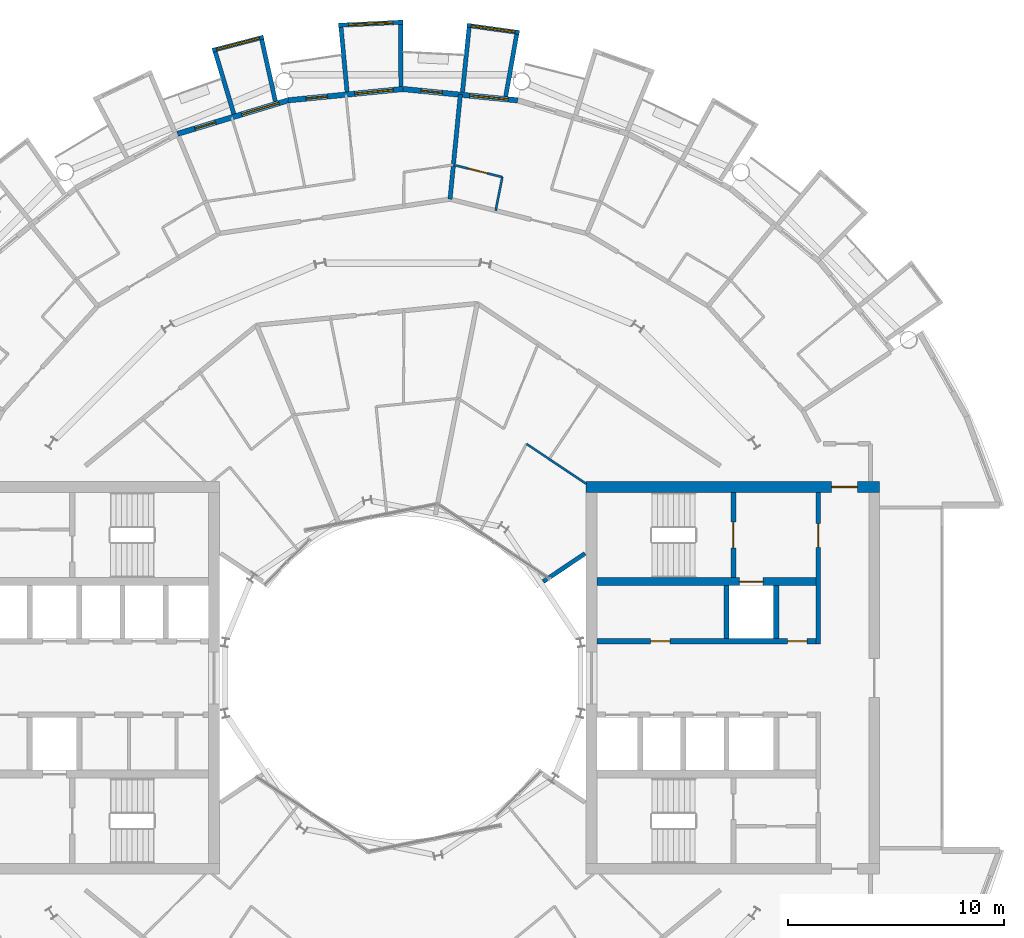
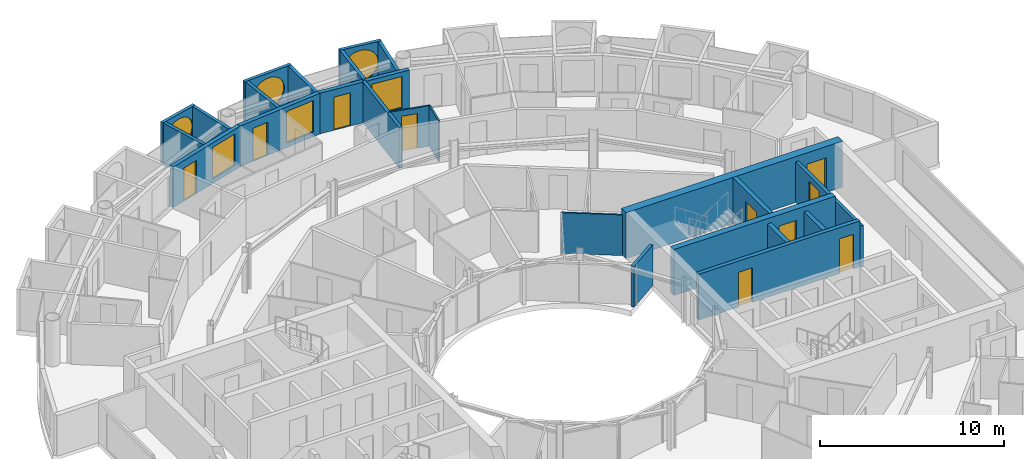
# One storey, part 21 of 27: 24 walls, 10 doors, 6 windows, 16 openings.
"""IFC4 building model written with IfcOpenShell, lengths in metres."""

from ifc_helpers import new_model, si_unit, direction, frame, frame_2d, origin, place, context, subcontext, project, spatial, rectangle, circle, extrude, material, layer, layer_set, type_object, element, fill, save


model = new_model("IFC4")

# Units and contexts
model_context = context("Model", 3, precision=1e-05, world=origin(), true_north=direction((0.0, 1.0)))
body_context = subcontext(model_context, "Body", "Model", "MODEL_VIEW")
ifc_project = project(units=[si_unit("LENGTHUNIT", "METRE"), si_unit("AREAUNIT", "SQUARE_METRE"), si_unit("VOLUMEUNIT", "CUBIC_METRE"), si_unit("PLANEANGLEUNIT", "RADIAN"), si_unit("MASSUNIT", "GRAM", prefix="KILO")], contexts=[model_context])

# Site, building, storey
site_placement = place(None, origin())
site = spatial("IfcSite", under=ifc_project, at=site_placement, CompositionType="ELEMENT")
building_placement = place(site_placement, origin())
building = spatial("IfcBuilding", under=site, at=building_placement, Name="Maasbend Ring Residences", CompositionType="ELEMENT")
storey_placement = place(building_placement, frame((0.0, 0.0, 148.25)))
storey = spatial("IfcBuildingStorey", under=building, at=storey_placement, Name="L42", CompositionType="ELEMENT", Elevation=148.25)

# Wall, openings, doors
ifc_material_1 = material(Name="Concrete C60/75", Category="concrete")
ifc_layer_1 = layer(ifc_material_1, 0.25)
ifc_layer_set_1 = layer_set([ifc_layer_1], Name="Concrete C60/75")
wall_type_1 = type_object("IfcWallType", Name="CORE WALL 250 C60/75", PredefinedType="SHEAR", material=ifc_layer_set_1)
wall_1_placement = place(storey_placement, frame((9.0, 1.699951171875, 0.0), z_axis=(0.0, 0.0, 1.0), x_axis=(1.0, 0.0, 0.0)))
wall_1 = element("IfcWall", 1, at=wall_1_placement, inside=storey, type_object=wall_type_1, Name="L42 core E wall SPN", PredefinedType="SHEAR", context=body_context, shape_type="SweptSolid", body=[
    extrude(rectangle(XDim=10.14990234375, YDim=0.25, at=frame_2d((5.074951171875, 0.0))), origin(), (0.0, 0.0, 1.0), 3.050048828125),
])
opening_1_placement = place(wall_1_placement, frame((2.487548828125, 0.0, 0.0)))
opening_1 = element("IfcOpeningElement", 2, at=opening_1_placement, cuts=wall_1, Name="Opening D-E4206", PredefinedType="OPENING", context=body_context, shape_type="SweptSolid", body=[
    extrude(rectangle(XDim=0.89990234375, YDim=2.300048828125, at=frame_2d((0.449951171875, 1.14990234375))), frame((0.0, 0.135009765625, 0.0), z_axis=(0.0, -1.0, 0.0), x_axis=(1.0, 0.0, 0.0)), (0.0, 0.0, 1.0), 0.27001953125),
])
opening_2_placement = place(wall_1_placement, frame((8.83740234375, 0.0, 0.0)))
opening_2 = element("IfcOpeningElement", 3, at=opening_2_placement, cuts=wall_1, Name="Opening D-E4207", PredefinedType="OPENING", context=body_context, shape_type="SweptSolid", body=[
    extrude(rectangle(XDim=0.89990234375, YDim=2.300048828125, at=frame_2d((0.449951171875, 1.14990234375))), frame((0.0, 0.135009765625, 0.0), z_axis=(0.0, -1.0, 0.0), x_axis=(1.0, 0.0, 0.0)), (0.0, 0.0, 1.0), 0.27001953125),
])
ifc_material_2 = material(Name="Steel, powder coated", Category="steel")
door_type_1 = type_object("IfcDoorType", Name="ROOM DOOR 900 X 2300 FD30S", OperationType="NOTDEFINED", PredefinedType="DOOR", material=ifc_material_2)
door_1_placement = place(opening_1_placement, origin())
door_1 = element("IfcDoor", 4, at=door_1_placement, inside=storey, type_object=door_type_1, Name="Room door L42", OperationType="SINGLE_SWING_RIGHT", OverallHeight=2.300048828125, OverallWidth=0.89990234375, PredefinedType="DOOR", context=body_context, shape_type="SweptSolid", body=[
    extrude(rectangle(XDim=0.89990234375, YDim=2.300048828125, at=frame_2d((0.449951171875, 1.14990234375))), frame((0.0, 0.02490234375, 0.0), z_axis=(0.0, -1.0, 0.0), x_axis=(1.0, 0.0, 0.0)), (0.0, 0.0, 1.0), 0.050048828125),
])
fill(opening_1, door_1)
door_2_placement = place(opening_2_placement, origin())
door_2 = element("IfcDoor", 5, at=door_2_placement, inside=storey, type_object=door_type_1, Name="Room door L42", OperationType="SINGLE_SWING_LEFT", OverallHeight=2.300048828125, OverallWidth=0.89990234375, PredefinedType="DOOR", context=body_context, shape_type="SweptSolid", body=[
    extrude(rectangle(XDim=0.89990234375, YDim=2.300048828125, at=frame_2d((0.449951171875, 1.14990234375))), frame((0.0, 0.02490234375, 0.0), z_axis=(0.0, -1.0, 0.0), x_axis=(1.0, 0.0, 0.0)), (0.0, 0.0, 1.0), 0.050048828125),
])
fill(opening_2, door_2)

# Wall, opening, door
wall_2_placement = place(storey_placement, frame((15.324951171875, 4.64990234375, 0.0), z_axis=(0.0, 0.0, 1.0), x_axis=(0.0, 1.0, 0.0)))
wall_2 = element("IfcWall", 6, at=wall_2_placement, inside=storey, type_object=wall_type_1, Name="L42 core E wall STEN", PredefinedType="SHEAR", context=body_context, shape_type="SweptSolid", body=[
    extrude(rectangle(XDim=3.9501953125, YDim=0.25, at=frame_2d((1.97509765625, 0.0))), origin(), (0.0, 0.0, 1.0), 3.050048828125),
])
opening_3_placement = place(wall_2_placement, frame((1.375, 0.0, 0.0)))
opening_3 = element("IfcOpeningElement", 7, at=opening_3_placement, cuts=wall_2, Name="Opening D-E4210", PredefinedType="OPENING", context=body_context, shape_type="SweptSolid", body=[
    extrude(rectangle(XDim=1.199951171875, YDim=2.300048828125, at=frame_2d((0.60009765625, 1.14990234375))), frame((0.0, 0.135009765625, 0.0), z_axis=(0.0, -1.0, 0.0), x_axis=(1.0, 0.0, 0.0)), (0.0, 0.0, 1.0), 0.27001953125),
])
ifc_material_3 = material(Name="Steel, powder coated", Category="steel")
door_type_2 = type_object("IfcDoorType", Name="STAIR DOOR 1200 X 2300 FD60", OperationType="NOTDEFINED", PredefinedType="DOOR", material=ifc_material_3)
door_3_placement = place(opening_3_placement, origin())
door_3 = element("IfcDoor", 8, at=door_3_placement, inside=storey, type_object=door_type_2, Name="Stair door ST-E L42", OperationType="SINGLE_SWING_LEFT", OverallHeight=2.300048828125, OverallWidth=1.199951171875, PredefinedType="DOOR", context=body_context, shape_type="SweptSolid", body=[
    extrude(rectangle(XDim=1.199951171875, YDim=2.300048828125, at=frame_2d((0.60009765625, 1.14990234375))), frame((0.0, 0.02490234375, 0.0), z_axis=(0.0, -1.0, 0.0), x_axis=(1.0, 0.0, 0.0)), (0.0, 0.0, 1.0), 0.050048828125),
])
fill(opening_3, door_3)

ifc_material_4 = material(Name="Concrete C60/75", Category="concrete")
ifc_layer_2 = layer(ifc_material_4, 0.375)
ifc_layer_set_2 = layer_set([ifc_layer_2], Name="Concrete C60/75")
wall_type_2 = type_object("IfcWallType", Name="CORE WALL 375 C60/75", PredefinedType="SHEAR", material=ifc_layer_set_2)
wall_3_placement = place(storey_placement, frame((9.0, 4.46240234375, 0.0), z_axis=(0.0, 0.0, 1.0), x_axis=(1.0, 0.0, 0.0)))
wall_3 = element("IfcWall", 9, at=wall_3_placement, inside=storey, type_object=wall_type_2, Name="L42 core E wall BN", PredefinedType="SHEAR", context=body_context, shape_type="SweptSolid", body=[
    extrude(rectangle(XDim=10.14990234375, YDim=0.375, at=frame_2d((5.074951171875, 0.0))), origin(), (0.0, 0.0, 1.0), 3.050048828125),
])
opening_4_placement = place(wall_3_placement, frame((6.60009765625, 0.0, 0.0)))
opening_4 = element("IfcOpeningElement", 10, at=opening_4_placement, cuts=wall_3, Name="Opening LD-E4201", PredefinedType="OPENING", context=body_context, shape_type="SweptSolid", body=[
    extrude(rectangle(XDim=1.10009765625, YDim=2.300048828125, at=frame_2d((0.550048828125, 1.14990234375))), frame((0.0, 0.197509765625, 0.0), z_axis=(0.0, -1.0, 0.0), x_axis=(1.0, 0.0, 0.0)), (0.0, 0.0, 1.0), 0.39501953125),
])
ifc_material_5 = material(Name="Stainless steel 316", Category="steel")
door_type_3 = type_object("IfcDoorType", Name="LANDING DOOR 1100 X 2300 FD60", OperationType="DOUBLE_DOOR_SLIDING", PredefinedType="DOOR", material=ifc_material_5)
door_4_placement = place(opening_4_placement, origin())
door_4 = element("IfcDoor", 11, at=door_4_placement, inside=storey, type_object=door_type_3, Name="Landing door FF-E L42", OperationType="DOUBLE_DOOR_SLIDING", OverallHeight=2.300048828125, OverallWidth=1.10009765625, PredefinedType="DOOR", context=body_context, shape_type="SweptSolid", body=[
    extrude(rectangle(XDim=1.10009765625, YDim=2.300048828125, at=frame_2d((0.550048828125, 1.14990234375))), frame((0.0, 0.02490234375, 0.0), z_axis=(0.0, -1.0, 0.0), x_axis=(1.0, 0.0, 0.0)), (0.0, 0.0, 1.0), 0.050048828125),
])
fill(opening_4, door_4)

ifc_material_6 = material(Name="Concrete C60/75", Category="concrete")
ifc_layer_3 = layer(ifc_material_6, 0.5)
ifc_layer_set_3 = layer_set([ifc_layer_3], Name="Concrete C60/75")
wall_type_3 = type_object("IfcWallType", Name="CORE WALL 500 C60/75", PredefinedType="SHEAR", material=ifc_layer_set_3)
wall_4_placement = place(storey_placement, frame((22.10009765625, 8.85009765625, 0.0), z_axis=(0.0, 0.0, 1.0), x_axis=(-1.0, 0.0, 0.0)))
wall_4 = element("IfcWall", 12, at=wall_4_placement, inside=storey, type_object=wall_type_3, Name="L42 core E wall PN", PredefinedType="SHEAR", context=body_context, shape_type="SweptSolid", body=[
    extrude(rectangle(XDim=13.60009765625, YDim=0.5, at=frame_2d((6.800048828125, 0.0))), origin(), (0.0, 0.0, 1.0), 3.050048828125),
])
opening_5_placement = place(wall_4_placement, frame((1.02490234375, 0.0, 0.0)))
opening_5 = element("IfcOpeningElement", 13, at=opening_5_placement, cuts=wall_4, Name="Opening D-E4214", PredefinedType="OPENING", context=body_context, shape_type="SweptSolid", body=[
    extrude(rectangle(XDim=1.199951171875, YDim=2.300048828125, at=frame_2d((0.60009765625, 1.14990234375))), frame((0.0, 0.260009765625, 0.0), z_axis=(0.0, -1.0, 0.0), x_axis=(1.0, 0.0, 0.0)), (0.0, 0.0, 1.0), 0.52001953125),
])
ifc_material_7 = material(Name="Steel, powder coated", Category="steel")
door_type_4 = type_object("IfcDoorType", Name="CORRIDOR DOOR 1200 X 2300 FD30S", OperationType="NOTDEFINED", PredefinedType="DOOR", material=ifc_material_7)
door_5_placement = place(opening_5_placement, origin())
door_5 = element("IfcDoor", 14, at=door_5_placement, inside=storey, type_object=door_type_4, Name="Corridor door L42", OperationType="SINGLE_SWING_RIGHT", OverallHeight=2.300048828125, OverallWidth=1.199951171875, PredefinedType="DOOR", context=body_context, shape_type="SweptSolid", body=[
    extrude(rectangle(XDim=1.199951171875, YDim=2.300048828125, at=frame_2d((0.60009765625, 1.14990234375))), frame((0.0, 0.02490234375, 0.0), z_axis=(0.0, -1.0, 0.0), x_axis=(1.0, 0.0, 0.0)), (0.0, 0.0, 1.0), 0.050048828125),
])
fill(opening_5, door_5)

# Wall, opening, window
ifc_material_8 = material(Name="Pale anodised aluminium panel", Category="aluminium")
ifc_layer_4 = layer(ifc_material_8, 0.199951171875)
ifc_layer_set_4 = layer_set([ifc_layer_4], Name="EW-BOX")
wall_type_4 = type_object("IfcWallType", Name="EW-BOX", PredefinedType="SOLIDWALL", material=ifc_layer_set_4)
wall_5_placement = place(storey_placement, frame((5.39794921875, 29.9169921875, -0.030029296875), z_axis=(0.0, 0.0, 1.0), x_axis=(-0.990462016113, 0.137786046596, 0.0)))
wall_5 = element("IfcWall", 15, at=wall_5_placement, inside=storey, type_object=wall_type_4, Name="Box front N09", PredefinedType="SOLIDWALL", context=body_context, shape_type="SweptSolid", body=[
    extrude(rectangle(XDim=2.4453125, YDim=0.199951171875, at=frame_2d((1.22265625, 0.0))), origin(), (0.0, 0.0, 1.0), 2.72998046875),
])
opening_6_placement = place(wall_5_placement, frame((0.182861328125, 0.0, 0.330078125)))
opening_6 = element("IfcOpeningElement", 16, at=opening_6_placement, cuts=wall_5, Name="Opening W-RD", PredefinedType="OPENING", context=body_context, shape_type="SweptSolid", body=[
    extrude(circle(Radius=1.0400390625, at=frame_2d((1.0400390625, 1.0400390625))), frame((0.0, 0.10986328125, 0.0), z_axis=(0.0, -1.0, 0.0), x_axis=(1.0, 0.0, 0.0)), (0.0, 0.0, 1.0), 0.219970703125),
])
ifc_material_9 = material(Name="Aluminium and clear glass", Category="aluminium")
window_type_1 = type_object("IfcWindowType", Name="W-RD", PartitioningType="SINGLE_PANEL", PredefinedType="WINDOW", material=ifc_material_9)
window_1_placement = place(opening_6_placement, origin())
window_1 = element("IfcWindow", 17, at=window_1_placement, inside=storey, type_object=window_type_1, Name="Round window N09", OverallHeight=2.080078125, OverallWidth=2.080078125, PartitioningType="SINGLE_PANEL", PredefinedType="WINDOW", context=body_context, shape_type="SweptSolid", body=[
    extrude(circle(Radius=1.0400390625, at=frame_2d((1.0400390625, 1.0400390625))), frame((0.0, 0.030029296875, 0.0), z_axis=(0.0, -1.0, 0.0), x_axis=(1.0, 0.0, 0.0)), (0.0, 0.0, 1.0), 0.06005859375),
])
fill(opening_6, window_1)

# Walls
wall_6_placement = place(storey_placement, frame((4.76904296875, 26.9560546875, -0.030029296875), z_axis=(0.0, 0.0, 1.0), x_axis=(0.174056778901, 0.984735618183, 0.0)))
element("IfcWall", 18, at=wall_6_placement, inside=storey, type_object=wall_type_4, Name="Box side wall N09 left", PredefinedType="SOLIDWALL", context=body_context, shape_type="SweptSolid", body=[
    extrude(rectangle(XDim=2.924560546875, YDim=0.199951171875, at=frame_2d((1.46240234375, 0.0))), origin(), (0.0, 0.0, 1.0), 2.72998046875),
])
wall_7_placement = place(storey_placement, frame((2.763916015625, 27.153076171875, -0.030029296875), z_axis=(0.0, 0.0, 1.0), x_axis=(0.101505487237, 0.994834979311, 0.0)))
element("IfcWall", 19, at=wall_7_placement, inside=storey, type_object=wall_type_4, Name="Box side wall N09 right", PredefinedType="SOLIDWALL", context=body_context, shape_type="SweptSolid", body=[
    extrude(rectangle(XDim=3.006591796875, YDim=0.199951171875, at=frame_2d((1.50341796875, 0.0))), origin(), (0.0, 0.0, 1.0), 2.72998046875),
])

# Wall, opening, window
wall_8_placement = place(storey_placement, frame((0.0048828125, 30.39990234375, -0.030029296875), z_axis=(0.0, 0.0, 1.0), x_axis=(-0.998794083011, -0.049095618353, 0.0)))
wall_8 = element("IfcWall", 20, at=wall_8_placement, inside=storey, type_object=wall_type_4, Name="Box front N11", PredefinedType="SOLIDWALL", context=body_context, shape_type="SweptSolid", body=[
    extrude(rectangle(XDim=2.99365234375, YDim=0.199951171875, at=frame_2d((1.496826171875, 0.0))), origin(), (0.0, 0.0, 1.0), 2.72998046875),
])
opening_7_placement = place(wall_8_placement, frame((0.45654296875, 0.0, 0.330078125)))
opening_7 = element("IfcOpeningElement", 21, at=opening_7_placement, cuts=wall_8, Name="Opening W-RD", PredefinedType="OPENING", context=body_context, shape_type="SweptSolid", body=[
    extrude(circle(Radius=1.0400390625, at=frame_2d((1.0400390625, 1.0400390625))), frame((0.0, 0.10986328125, 0.0), z_axis=(0.0, -1.0, 0.0), x_axis=(1.0, 0.0, 0.0)), (0.0, 0.0, 1.0), 0.219970703125),
])
window_2_placement = place(opening_7_placement, origin())
window_2 = element("IfcWindow", 22, at=window_2_placement, inside=storey, type_object=window_type_1, Name="Round window N11", OverallHeight=2.080078125, OverallWidth=2.080078125, PartitioningType="SINGLE_PANEL", PredefinedType="WINDOW", context=body_context, shape_type="SweptSolid", body=[
    extrude(circle(Radius=1.0400390625, at=frame_2d((1.0400390625, 1.0400390625))), frame((0.0, 0.030029296875, 0.0), z_axis=(0.0, -1.0, 0.0), x_axis=(1.0, 0.0, 0.0)), (0.0, 0.0, 1.0), 0.06005859375),
])
fill(opening_7, window_2)

# Walls
wall_9_placement = place(storey_placement, frame((-0.090087890625, 27.4169921875, -0.030029296875), z_axis=(0.0, 0.0, 1.0), x_axis=(-0.00347308367, 0.999993968827, 0.0)))
element("IfcWall", 23, at=wall_9_placement, inside=storey, type_object=wall_type_4, Name="Box side wall N11 left", PredefinedType="SOLIDWALL", context=body_context, shape_type="SweptSolid", body=[
    extrude(rectangle(XDim=2.882080078125, YDim=0.199951171875, at=frame_2d((1.44091796875, 0.0))), origin(), (0.0, 0.0, 1.0), 2.72998046875),
])
wall_10_placement = place(storey_placement, frame((-2.5859375, 27.1708984375, -0.030029296875), z_axis=(0.0, 0.0, 1.0), x_axis=(-0.094548432284, 0.995520262954, 0.0)))
element("IfcWall", 24, at=wall_10_placement, inside=storey, type_object=wall_type_4, Name="Box side wall N11 right", PredefinedType="SOLIDWALL", context=body_context, shape_type="SweptSolid", body=[
    extrude(rectangle(XDim=3.005615234375, YDim=0.199951171875, at=frame_2d((1.5029296875, 0.0))), origin(), (0.0, 0.0, 1.0), 2.72998046875),
])

# Wall, opening, window
wall_11_placement = place(storey_placement, frame((-6.4609375, 29.705078125, -0.030029296875), z_axis=(0.0, 0.0, 1.0), x_axis=(-0.96789536872, -0.251353446784, 0.0)))
wall_11 = element("IfcWall", 25, at=wall_11_placement, inside=storey, type_object=wall_type_4, Name="Box front N13", PredefinedType="SOLIDWALL", context=body_context, shape_type="SweptSolid", body=[
    extrude(rectangle(XDim=2.44677734375, YDim=0.199951171875, at=frame_2d((1.223388671875, 0.0))), origin(), (0.0, 0.0, 1.0), 2.72998046875),
])
opening_8_placement = place(wall_11_placement, frame((0.182861328125, 0.0, 0.330078125)))
opening_8 = element("IfcOpeningElement", 26, at=opening_8_placement, cuts=wall_11, Name="Opening W-RD", PredefinedType="OPENING", context=body_context, shape_type="SweptSolid", body=[
    extrude(circle(Radius=1.0400390625, at=frame_2d((1.0400390625, 1.0400390625))), frame((0.0, 0.10986328125, 0.0), z_axis=(0.0, -1.0, 0.0), x_axis=(1.0, 0.0, 0.0)), (0.0, 0.0, 1.0), 0.219970703125),
])
window_3_placement = place(opening_8_placement, origin())
window_3 = element("IfcWindow", 27, at=window_3_placement, inside=storey, type_object=window_type_1, Name="Round window N13", OverallHeight=2.080078125, OverallWidth=2.080078125, PartitioningType="SINGLE_PANEL", PredefinedType="WINDOW", context=body_context, shape_type="SweptSolid", body=[
    extrude(circle(Radius=1.0400390625, at=frame_2d((1.0400390625, 1.0400390625))), frame((0.0, 0.030029296875, 0.0), z_axis=(0.0, -1.0, 0.0), x_axis=(1.0, 0.0, 0.0)), (0.0, 0.0, 1.0), 0.06005859375),
])
fill(opening_8, window_3)

# Walls
wall_12_placement = place(storey_placement, frame((-5.908935546875, 26.72900390625, -0.030029296875), z_axis=(0.0, 0.0, 1.0), x_axis=(-0.216409053917, 0.976302781612, 0.0)))
element("IfcWall", 28, at=wall_12_placement, inside=storey, type_object=wall_type_4, Name="Box side wall N13 left", PredefinedType="SOLIDWALL", context=body_context, shape_type="SweptSolid", body=[
    extrude(rectangle(XDim=2.92529296875, YDim=0.199951171875, at=frame_2d((1.462646484375, 0.0))), origin(), (0.0, 0.0, 1.0), 2.72998046875),
])
wall_13_placement = place(storey_placement, frame((-7.8369140625, 26.14404296875, -0.030029296875), z_axis=(0.0, 0.0, 1.0), x_axis=(-0.287064767992, 0.957911174889, 0.0)))
element("IfcWall", 29, at=wall_13_placement, inside=storey, type_object=wall_type_4, Name="Box side wall N13 right", PredefinedType="SOLIDWALL", context=body_context, shape_type="SweptSolid", body=[
    extrude(rectangle(XDim=3.00634765625, YDim=0.199951171875, at=frame_2d((1.503173828125, 0.0))), origin(), (0.0, 0.0, 1.0), 2.72998046875),
])

# Wall, openings, door, window
ifc_material_10 = material(Name="Aluminium clad insulated panel", Category="aluminium")
ifc_layer_5 = layer(ifc_material_10, 0.25)
ifc_layer_set_5 = layer_set([ifc_layer_5], Name="EW-GL")
wall_type_5 = type_object("IfcWallType", Name="EW-GL", PredefinedType="SOLIDWALL", material=ifc_layer_set_5)
wall_14_placement = place(storey_placement, frame((5.325927734375, 26.77490234375, 0.0), z_axis=(0.0, 0.0, 1.0), x_axis=(-0.995173996315, 0.098126026407, 0.0)))
wall_14 = element("IfcWall", 30, at=wall_14_placement, inside=storey, type_object=wall_type_5, Name="External wall N05", PredefinedType="SOLIDWALL", context=body_context, shape_type="SweptSolid", body=[
    extrude(rectangle(XDim=5.351806640625, YDim=0.25, at=frame_2d((2.67578125, 0.0))), origin(), (0.0, 0.0, 1.0), 2.699951171875),
])
opening_9_placement = place(wall_14_placement, frame((0.441162109375, 0.0, 0.300048828125)))
opening_9 = element("IfcOpeningElement", 31, at=opening_9_placement, cuts=wall_14, Name="Opening W-BX", PredefinedType="OPENING", context=body_context, shape_type="SweptSolid", body=[
    extrude(rectangle(XDim=1.800048828125, YDim=2.10009765625, at=frame_2d((0.89990234375, 1.050048828125))), frame((0.0, 0.135009765625, 0.0), z_axis=(0.0, -1.0, 0.0), x_axis=(1.0, 0.0, 0.0)), (0.0, 0.0, 1.0), 0.27001953125),
])
opening_10_placement = place(wall_14_placement, frame((3.510498046875, 0.0, 0.0)))
opening_10 = element("IfcOpeningElement", 32, at=opening_10_placement, cuts=wall_14, Name="Opening D-LG", PredefinedType="OPENING", context=body_context, shape_type="SweptSolid", body=[
    extrude(rectangle(XDim=1.0, YDim=2.199951171875, at=frame_2d((0.5, 1.10009765625))), frame((0.0, 0.135009765625, 0.0), z_axis=(0.0, -1.0, 0.0), x_axis=(1.0, 0.0, 0.0)), (0.0, 0.0, 1.0), 0.27001953125),
])
ifc_material_11 = material(Name="Aluminium and clear glass", Category="aluminium")
door_type_5 = type_object("IfcDoorType", Name="D-LG", OperationType="SINGLE_SWING_LEFT", PredefinedType="DOOR", material=ifc_material_11)
door_6_placement = place(opening_10_placement, origin())
door_6 = element("IfcDoor", 33, at=door_6_placement, inside=storey, type_object=door_type_5, Name="Loggia door N10", OperationType="SINGLE_SWING_LEFT", OverallHeight=2.199951171875, OverallWidth=1.0, PredefinedType="DOOR", context=body_context, shape_type="SweptSolid", body=[
    extrude(rectangle(XDim=1.0, YDim=2.199951171875, at=frame_2d((0.5, 1.10009765625))), frame((0.0, 0.02490234375, 0.0), z_axis=(0.0, -1.0, 0.0), x_axis=(1.0, 0.0, 0.0)), (0.0, 0.0, 1.0), 0.050048828125),
])
fill(opening_10, door_6)
ifc_material_12 = material(Name="Aluminium and clear glass", Category="aluminium")
window_type_2 = type_object("IfcWindowType", Name="W-BX", PartitioningType="DOUBLE_PANEL_VERTICAL", PredefinedType="WINDOW", material=ifc_material_12)
window_4_placement = place(opening_9_placement, origin())
window_4 = element("IfcWindow", 34, at=window_4_placement, inside=storey, type_object=window_type_2, Name="Window N09 room to box", OverallHeight=2.10009765625, OverallWidth=1.800048828125, PartitioningType="SINGLE_PANEL", PredefinedType="WINDOW", context=body_context, shape_type="SweptSolid", body=[
    extrude(rectangle(XDim=1.800048828125, YDim=2.10009765625, at=frame_2d((0.89990234375, 1.050048828125))), frame((0.0, 0.030029296875, 0.0), z_axis=(0.0, -1.0, 0.0), x_axis=(1.0, 0.0, 0.0)), (0.0, 0.0, 1.0), 0.06005859375),
])
fill(opening_9, window_4)

wall_15_placement = place(storey_placement, frame((0.0, 27.300048828125, 0.0), z_axis=(0.0, 0.0, 1.0), x_axis=(-0.995173996315, -0.098126026407, 0.0)))
wall_15 = element("IfcWall", 35, at=wall_15_placement, inside=storey, type_object=wall_type_5, Name="External wall N06", PredefinedType="SOLIDWALL", context=body_context, shape_type="SweptSolid", body=[
    extrude(rectangle(XDim=5.351806640625, YDim=0.25, at=frame_2d((2.67578125, 0.0))), origin(), (0.0, 0.0, 1.0), 2.699951171875),
])
opening_11_placement = place(wall_15_placement, frame((0.441162109375, 0.0, 0.300048828125)))
opening_11 = element("IfcOpeningElement", 36, at=opening_11_placement, cuts=wall_15, Name="Opening W-BX", PredefinedType="OPENING", context=body_context, shape_type="SweptSolid", body=[
    extrude(rectangle(XDim=1.800048828125, YDim=2.10009765625, at=frame_2d((0.89990234375, 1.050048828125))), frame((0.0, 0.135009765625, 0.0), z_axis=(0.0, -1.0, 0.0), x_axis=(1.0, 0.0, 0.0)), (0.0, 0.0, 1.0), 0.27001953125),
])
opening_12_placement = place(wall_15_placement, frame((3.510498046875, 0.0, 0.0)))
opening_12 = element("IfcOpeningElement", 37, at=opening_12_placement, cuts=wall_15, Name="Opening D-LG", PredefinedType="OPENING", context=body_context, shape_type="SweptSolid", body=[
    extrude(rectangle(XDim=1.0, YDim=2.199951171875, at=frame_2d((0.5, 1.10009765625))), frame((0.0, 0.135009765625, 0.0), z_axis=(0.0, -1.0, 0.0), x_axis=(1.0, 0.0, 0.0)), (0.0, 0.0, 1.0), 0.27001953125),
])
door_7_placement = place(opening_12_placement, origin())
door_7 = element("IfcDoor", 38, at=door_7_placement, inside=storey, type_object=door_type_5, Name="Loggia door N12", OperationType="SINGLE_SWING_LEFT", OverallHeight=2.199951171875, OverallWidth=1.0, PredefinedType="DOOR", context=body_context, shape_type="SweptSolid", body=[
    extrude(rectangle(XDim=1.0, YDim=2.199951171875, at=frame_2d((0.5, 1.10009765625))), frame((0.0, 0.02490234375, 0.0), z_axis=(0.0, -1.0, 0.0), x_axis=(1.0, 0.0, 0.0)), (0.0, 0.0, 1.0), 0.050048828125),
])
fill(opening_12, door_7)
window_5_placement = place(opening_11_placement, origin())
window_5 = element("IfcWindow", 39, at=window_5_placement, inside=storey, type_object=window_type_2, Name="Window N11 room to box", OverallHeight=2.10009765625, OverallWidth=1.800048828125, PartitioningType="SINGLE_PANEL", PredefinedType="WINDOW", context=body_context, shape_type="SweptSolid", body=[
    extrude(rectangle(XDim=1.800048828125, YDim=2.10009765625, at=frame_2d((0.89990234375, 1.050048828125))), frame((0.0, 0.030029296875, 0.0), z_axis=(0.0, -1.0, 0.0), x_axis=(1.0, 0.0, 0.0)), (0.0, 0.0, 1.0), 0.06005859375),
])
fill(opening_11, window_5)

wall_16_placement = place(storey_placement, frame((-5.325927734375, 26.77490234375, 0.0), z_axis=(0.0, 0.0, 1.0), x_axis=(-0.956965678721, -0.290201119486, 0.0)))
wall_16 = element("IfcWall", 40, at=wall_16_placement, inside=storey, type_object=wall_type_5, Name="External wall N07", PredefinedType="SOLIDWALL", context=body_context, shape_type="SweptSolid", body=[
    extrude(rectangle(XDim=5.351318359375, YDim=0.25, at=frame_2d((2.67578125, 0.0))), origin(), (0.0, 0.0, 1.0), 2.699951171875),
])
opening_13_placement = place(wall_16_placement, frame((0.441162109375, 0.0, 0.300048828125)))
opening_13 = element("IfcOpeningElement", 41, at=opening_13_placement, cuts=wall_16, Name="Opening W-BX", PredefinedType="OPENING", context=body_context, shape_type="SweptSolid", body=[
    extrude(rectangle(XDim=1.800048828125, YDim=2.10009765625, at=frame_2d((0.89990234375, 1.050048828125))), frame((0.0, 0.135009765625, 0.0), z_axis=(0.0, -1.0, 0.0), x_axis=(1.0, 0.0, 0.0)), (0.0, 0.0, 1.0), 0.27001953125),
])
opening_14_placement = place(wall_16_placement, frame((3.510498046875, 0.0, 0.0)))
opening_14 = element("IfcOpeningElement", 42, at=opening_14_placement, cuts=wall_16, Name="Opening D-LG", PredefinedType="OPENING", context=body_context, shape_type="SweptSolid", body=[
    extrude(rectangle(XDim=1.0, YDim=2.199951171875, at=frame_2d((0.5, 1.10009765625))), frame((0.0, 0.135009765625, 0.0), z_axis=(0.0, -1.0, 0.0), x_axis=(1.0, 0.0, 0.0)), (0.0, 0.0, 1.0), 0.27001953125),
])
door_8_placement = place(opening_14_placement, origin())
door_8 = element("IfcDoor", 43, at=door_8_placement, inside=storey, type_object=door_type_5, Name="Loggia door N14", OperationType="SINGLE_SWING_LEFT", OverallHeight=2.199951171875, OverallWidth=1.0, PredefinedType="DOOR", context=body_context, shape_type="SweptSolid", body=[
    extrude(rectangle(XDim=1.0, YDim=2.199951171875, at=frame_2d((0.5, 1.10009765625))), frame((0.0, 0.02490234375, 0.0), z_axis=(0.0, -1.0, 0.0), x_axis=(1.0, 0.0, 0.0)), (0.0, 0.0, 1.0), 0.050048828125),
])
fill(opening_14, door_8)
window_6_placement = place(opening_13_placement, origin())
window_6 = element("IfcWindow", 44, at=window_6_placement, inside=storey, type_object=window_type_2, Name="Window N13 room to box", OverallHeight=2.10009765625, OverallWidth=1.800048828125, PartitioningType="SINGLE_PANEL", PredefinedType="WINDOW", context=body_context, shape_type="SweptSolid", body=[
    extrude(rectangle(XDim=1.800048828125, YDim=2.10009765625, at=frame_2d((0.89990234375, 1.050048828125))), frame((0.0, 0.030029296875, 0.0), z_axis=(0.0, -1.0, 0.0), x_axis=(1.0, 0.0, 0.0)), (0.0, 0.0, 1.0), 0.06005859375),
])
fill(opening_13, window_6)

# Walls
ifc_material_13 = material(Name="Gypsum board on steel studs", Category="steel")
ifc_layer_6 = layer(ifc_material_13, 0.10009765625)
ifc_layer_set_6 = layer_set([ifc_layer_6], Name="PARTITION 100 GYPSUM")
wall_type_6 = type_object("IfcWallType", Name="PARTITION 100 GYPSUM", PredefinedType="PARTITIONING", material=ifc_layer_set_6)
wall_17_placement = place(storey_placement, frame((4.302001953125, 21.6630859375, 0.0), z_axis=(0.0, 0.0, 1.0), x_axis=(0.194485862594, 0.980905321247, 0.0)))
element("IfcWall", 45, at=wall_17_placement, inside=storey, type_object=wall_type_6, Name="U-L42-w030", PredefinedType="PARTITIONING", context=body_context, shape_type="SweptSolid", body=[
    extrude(rectangle(XDim=1.584228515625, YDim=0.10009765625, at=frame_2d((0.7919921875, 0.0))), origin(), (0.0, 0.0, 1.0), 2.699951171875),
])
wall_18_placement = place(storey_placement, frame((5.73095703125, 10.847900390625, 0.0), z_axis=(0.0, 0.0, 1.0), x_axis=(0.831339441646, -0.555764997786, 0.0)))
element("IfcWall", 46, at=wall_18_placement, inside=storey, type_object=wall_type_6, Name="U-L42-w089", PredefinedType="PARTITIONING", context=body_context, shape_type="SweptSolid", body=[
    extrude(rectangle(XDim=3.33203125, YDim=0.10009765625, at=frame_2d((1.666015625, 0.0))), origin(), (0.0, 0.0, 1.0), 2.699951171875),
])

# Wall, opening, door
wall_19_placement = place(storey_placement, frame((2.343017578125, 23.784912109375, 0.0), z_axis=(0.0, 0.0, 1.0), x_axis=(0.970031792706, -0.242978026043, 0.0)))
wall_19 = element("IfcWall", 47, at=wall_19_placement, inside=storey, type_object=wall_type_6, Name="U-L42-w113", PredefinedType="PARTITIONING", context=body_context, shape_type="SweptSolid", body=[
    extrude(rectangle(XDim=2.337158203125, YDim=0.10009765625, at=frame_2d((1.16845703125, 0.0))), origin(), (0.0, 0.0, 1.0), 2.699951171875),
])
opening_15_placement = place(wall_19_placement, frame((0.718994140625, 0.0, 0.0)))
opening_15 = element("IfcOpeningElement", 48, at=opening_15_placement, cuts=wall_19, Name="Opening D-4208", PredefinedType="OPENING", context=body_context, shape_type="SweptSolid", body=[
    extrude(rectangle(XDim=0.89990234375, YDim=2.300048828125, at=frame_2d((0.449951171875, 1.14990234375))), frame((0.0, 0.06005859375, 0.0), z_axis=(0.0, -1.0, 0.0), x_axis=(1.0, 0.0, 0.0)), (0.0, 0.0, 1.0), 0.1201171875),
])
ifc_material_14 = material(Name="Timber, painted", Category="wood")
door_type_6 = type_object("IfcDoorType", Name="INTERNAL DOOR 900 X 2300", OperationType="NOTDEFINED", PredefinedType="DOOR", material=ifc_material_14)
door_9_placement = place(opening_15_placement, origin())
door_9 = element("IfcDoor", 49, at=door_9_placement, inside=storey, type_object=door_type_6, Name="D-4208", OperationType="SINGLE_SWING_RIGHT", OverallHeight=2.300048828125, OverallWidth=0.89990234375, PredefinedType="DOOR", context=body_context, shape_type="SweptSolid", body=[
    extrude(rectangle(XDim=0.89990234375, YDim=2.300048828125, at=frame_2d((0.449951171875, 1.14990234375))), frame((0.0, 0.02490234375, 0.0), z_axis=(0.0, -1.0, 0.0), x_axis=(1.0, 0.0, 0.0)), (0.0, 0.0, 1.0), 0.050048828125),
])
fill(opening_15, door_9)

# Walls
ifc_material_15 = material(Name="Concrete C30/37", Category="concrete")
ifc_layer_7 = layer(ifc_material_15, 0.199951171875)
ifc_layer_set_7 = layer_set([ifc_layer_7], Name="Concrete C30/37")
wall_type_7 = type_object("IfcWallType", Name="PARTY WALL 200 CONCRETE", PredefinedType="PARTITIONING", material=ifc_layer_set_7)
wall_20_placement = place(storey_placement, frame((2.18603515625, 22.193115234375, 0.0), z_axis=(0.0, 0.0, 1.0), x_axis=(0.098070432075, 0.995179476453, 0.0)))
element("IfcWall", 50, at=wall_20_placement, inside=storey, type_object=wall_type_7, Name="U-L42-w061", PredefinedType="PARTITIONING", context=body_context, shape_type="SweptSolid", body=[
    extrude(rectangle(XDim=4.874267578125, YDim=0.199951171875, at=frame_2d((2.43701171875, 0.0))), origin(), (0.0, 0.0, 1.0), 2.699951171875),
])
wall_21_placement = place(storey_placement, frame((6.512939453125, 4.471923828125, 0.0), z_axis=(0.0, 0.0, 1.0), x_axis=(0.83133816625, 0.555766905579, 0.0)))
element("IfcWall", 51, at=wall_21_placement, inside=storey, type_object=wall_type_7, Name="U-L42-w085", PredefinedType="PARTITIONING", context=body_context, shape_type="SweptSolid", body=[
    extrude(rectangle(XDim=2.322998046875, YDim=0.199951171875, at=frame_2d((1.16162109375, 0.0))), origin(), (0.0, 0.0, 1.0), 2.699951171875),
])

# Wall, opening, door
ifc_material_16 = material(Name="Concrete C30/37", Category="concrete")
ifc_layer_8 = layer(ifc_material_16, 0.199951171875)
ifc_layer_set_8 = layer_set([ifc_layer_8], Name="Concrete C30/37")
wall_type_8 = type_object("IfcWallType", Name="SHAFT WALL 200 EI 120", PredefinedType="SOLIDWALL", material=ifc_layer_set_8)
wall_22_placement = place(storey_placement, frame((19.25, 1.574951171875, 0.0), z_axis=(0.0, 0.0, 1.0), x_axis=(0.0, 1.0, 0.0)))
wall_22 = element("IfcWall", 52, at=wall_22_placement, inside=storey, type_object=wall_type_8, Name="L42 core E wall ENDN", PredefinedType="SOLIDWALL", context=body_context, shape_type="SweptSolid", body=[
    extrude(rectangle(XDim=7.025146484375, YDim=0.199951171875, at=frame_2d((3.5126953125, 0.0))), origin(), (0.0, 0.0, 1.0), 2.699951171875),
])
opening_16_placement = place(wall_22_placement, frame((4.47509765625, 0.0, 0.0)))
opening_16 = element("IfcOpeningElement", 53, at=opening_16_placement, cuts=wall_22, Name="Opening D-E4212", PredefinedType="OPENING", context=body_context, shape_type="SweptSolid", body=[
    extrude(rectangle(XDim=1.10009765625, YDim=2.300048828125, at=frame_2d((0.550048828125, 1.14990234375))), frame((0.0, 0.10986328125, 0.0), z_axis=(0.0, -1.0, 0.0), x_axis=(1.0, 0.0, 0.0)), (0.0, 0.0, 1.0), 0.219970703125),
])
ifc_material_17 = material(Name="Steel, powder coated", Category="steel")
door_type_7 = type_object("IfcDoorType", Name="LOBBY DOOR 1100 X 2300 FD60", OperationType="NOTDEFINED", PredefinedType="DOOR", material=ifc_material_17)
door_10_placement = place(opening_16_placement, origin())
door_10 = element("IfcDoor", 54, at=door_10_placement, inside=storey, type_object=door_type_7, Name="Lobby door L42", OperationType="SINGLE_SWING_LEFT", OverallHeight=2.300048828125, OverallWidth=1.10009765625, PredefinedType="DOOR", context=body_context, shape_type="SweptSolid", body=[
    extrude(rectangle(XDim=1.10009765625, YDim=2.300048828125, at=frame_2d((0.550048828125, 1.14990234375))), frame((0.0, 0.02490234375, 0.0), z_axis=(0.0, -1.0, 0.0), x_axis=(1.0, 0.0, 0.0)), (0.0, 0.0, 1.0), 0.050048828125),
])
fill(opening_16, door_10)

# Walls
ifc_material_18 = material(Name="Concrete C30/37", Category="concrete")
ifc_layer_9 = layer(ifc_material_18, 0.25)
ifc_layer_set_9 = layer_set([ifc_layer_9], Name="Concrete C30/37")
wall_type_9 = type_object("IfcWallType", Name="SHAFT WALL 250 EI 120", PredefinedType="SOLIDWALL", material=ifc_layer_set_9)
for number, where, z_axis, x_axis, name in (
    (55, (15.0, 1.824951171875, 0.0), (0.0, 0.0, 1.0), (0.0, 1.0, 0.0), "L42 core E wall D150N"),
    (56, (17.300048828125, 1.824951171875, 0.0), (0.0, 0.0, 1.0), (0.0, 1.0, 0.0), "L42 core E wall D173N"),
):
    element("IfcWall", number, at=place(storey_placement, frame(where, z_axis=z_axis, x_axis=x_axis)), inside=storey, type_object=wall_type_9, Name=name, PredefinedType="SOLIDWALL", context=body_context, shape_type="SweptSolid", body=[
        extrude(rectangle(XDim=2.449951171875, YDim=0.25, at=frame_2d((1.22509765625, 0.0))), origin(), (0.0, 0.0, 1.0), 2.699951171875),
    ])

save(model, "model.ifc")
